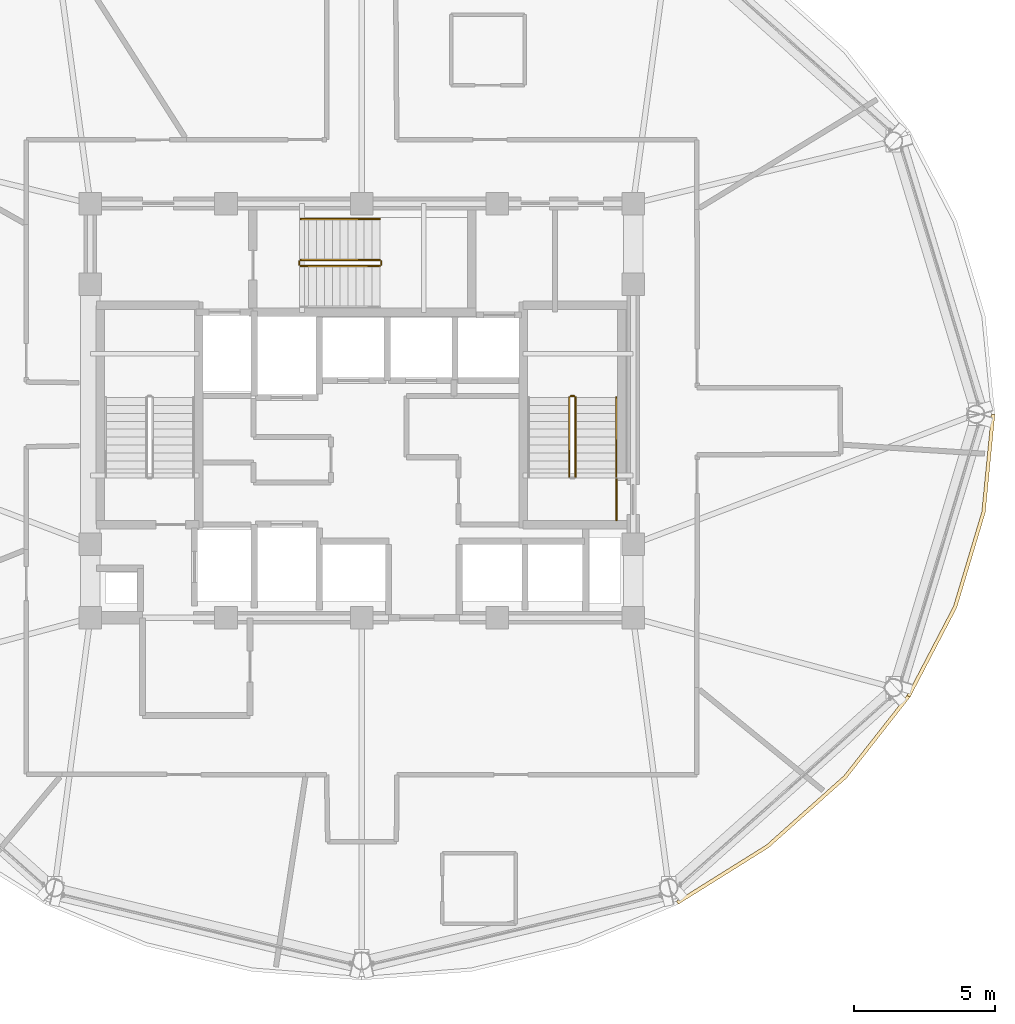
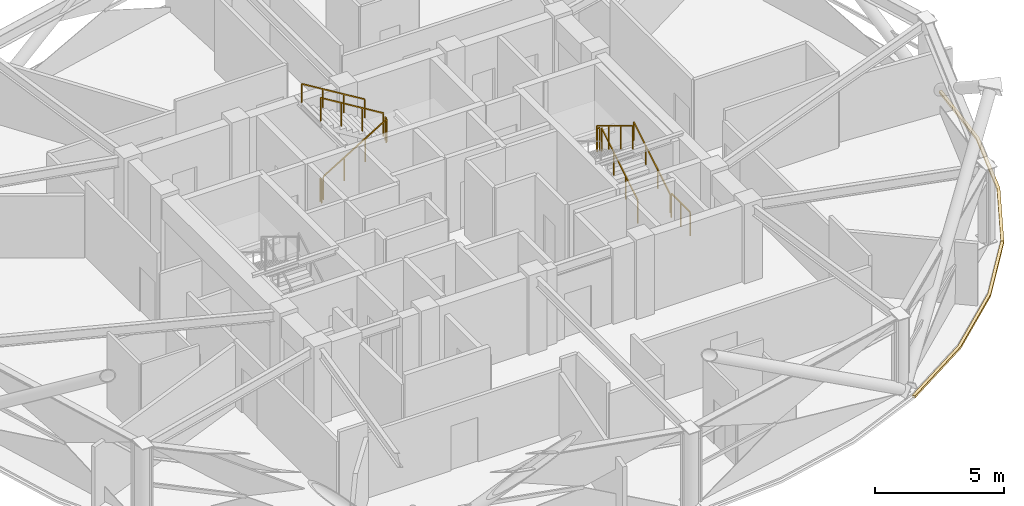
# One storey, part 27 of 28: 10 railings, 2 coverings.
"""IFC4 building model written with IfcOpenShell, lengths in metres."""

from ifc_helpers import new_model, si_unit, direction, frame, origin, origin_2d, place, context, subcontext, project, spatial, polyline, rectangle, outline, extrude, material, layer, layer_set, type_object, element, save


model = new_model("IFC4")

# Units and contexts
model_context = context("Model", 3, precision=1e-05, world=origin(), true_north=direction((0.0, 1.0)))
body_context = subcontext(model_context, "Body", "Model", "MODEL_VIEW")
ifc_project = project(units=[si_unit("LENGTHUNIT", "METRE"), si_unit("AREAUNIT", "SQUARE_METRE"), si_unit("VOLUMEUNIT", "CUBIC_METRE"), si_unit("PLANEANGLEUNIT", "RADIAN"), si_unit("MASSUNIT", "GRAM", prefix="KILO")], contexts=[model_context])

# Site, building, storey
site_placement = place(None, origin())
site = spatial("IfcSite", under=ifc_project, at=site_placement, CompositionType="ELEMENT")
building_placement = place(site_placement, origin())
building = spatial("IfcBuilding", under=site, at=building_placement, Name="Vantalir Tower", CompositionType="ELEMENT")
storey_placement = place(building_placement, frame((0.0, 0.0, 242.39990234375)))
storey = spatial("IfcBuildingStorey", under=building, at=storey_placement, Name="L61", CompositionType="ELEMENT", Elevation=242.39990234375)

# Coverings
ifc_material_1 = material(Name="Anodised champagne aluminium sill fascia", Category="aluminium")
ifc_layer = layer(ifc_material_1, 0.125)
ifc_layer_set = layer_set([ifc_layer], Name="Anodised champagne aluminium sill fascia")
covering_type = type_object("IfcCoveringType", Name="COV-SLAB-FASCIA-125", PredefinedType="CLADDING", material=ifc_layer_set)
covering_1_placement = place(storey_placement, frame((0.0, 0.0, -0.179931640625)))
element("IfcCovering", 1, at=covering_1_placement, inside=storey, type_object=covering_type, Name="L61 Perimeter Slab-Edge Sill Fascia 11", PredefinedType="CLADDING", context=body_context, shape_type="SweptSolid", body=[
    extrude(outline(polyline([(42.697021484375, 7.673095703125), (45.89404296875, 9.673095703125), (48.654052734375, 12.138916015625), (50.89306640625, 14.99609375), (50.784912109375, 15.05810546875), (48.55810546875, 12.218994140625), (45.81396484375, 9.76904296875), (42.634033203125, 7.781005859375), (42.697021484375, 7.673095703125)])), origin(), (0.0, 0.0, 1.0), 0.10498046875),
])
covering_2_placement = place(storey_placement, frame((0.0, 0.0, -0.179931640625)))
element("IfcCovering", 2, at=covering_2_placement, inside=storey, type_object=covering_type, Name="L61 Perimeter Slab-Edge Sill Fascia 12", PredefinedType="CLADDING", context=body_context, shape_type="SweptSolid", body=[
    extrude(outline(polyline([(50.89306640625, 14.99609375), (52.54296875, 18.156982421875), (53.552978515625, 21.52587890625), (53.89306640625, 25.0), (53.76806640625, 25.0), (53.429931640625, 21.547119140625), (52.425048828125, 18.199951171875), (50.784912109375, 15.05810546875), (50.89306640625, 14.99609375)])), origin(), (0.0, 0.0, 1.0), 0.10498046875),
])

# Railings
ifc_material_2 = material(Name="Anodised aluminium and stainless steel guard", Category="steel")
railing_type_1 = type_object("IfcRailingType", Name="RAL-GUARD-1120", PredefinedType="GUARDRAIL", material=ifc_material_2)
railing_1_placement = place(storey_placement, frame((39.06005859375, 22.7900390625, 0.170654296875)))
element("IfcRailing", 3, at=railing_1_placement, inside=storey, type_object=railing_type_1, Name="L61 ST2 stair guard 1", PredefinedType="GUARDRAIL", context=body_context, shape_type="SweptSolid", body=[
    extrude(rectangle(XDim=0.048095703125, YDim=0.048095703125, at=origin_2d()), frame((0.0, 0.0, 1.09619140625), z_axis=(0.0, 0.854202870247, 0.519939858505), x_axis=(-1.0, 0.0, 0.0)), (0.0, 0.0, 1.0), 3.278076171875),
    extrude(rectangle(XDim=0.0419921875, YDim=0.0419921875, at=origin_2d()), origin(), (0.0, 0.0, 1.0), 1.072021484375),
    extrude(rectangle(XDim=0.0419921875, YDim=0.0419921875, at=origin_2d()), frame((0.0, 0.933349609375, 0.568115234375)), (0.0, 0.0, 1.0), 1.072021484375),
    extrude(rectangle(XDim=0.0419921875, YDim=0.0419921875, at=origin_2d()), frame((0.0, 1.86669921875, 1.13623046875)), (0.0, 0.0, 1.0), 1.072021484375),
    extrude(rectangle(XDim=0.0419921875, YDim=0.0419921875, at=origin_2d()), frame((0.0, 2.800048828125, 1.704345703125)), (0.0, 0.0, 1.0), 1.072021484375),
])
railing_2_placement = place(storey_placement, frame((39.010009765625, 25.639892578125, 1.875)))
element("IfcRailing", 4, at=railing_2_placement, inside=storey, type_object=railing_type_1, Name="L61 ST2 stair guard 2", PredefinedType="GUARDRAIL", context=body_context, shape_type="SweptSolid", body=[
    extrude(rectangle(XDim=0.048095703125, YDim=0.048095703125, at=origin_2d()), frame((0.0, 0.0, 1.09619140625), z_axis=(-1.0, 0.0, 0.0), x_axis=(0.0, -1.0, 0.0)), (0.0, 0.0, 1.0), 0.1201171875),
    extrude(rectangle(XDim=0.0419921875, YDim=0.0419921875, at=origin_2d()), origin(), (0.0, 0.0, 1.0), 1.072021484375),
    extrude(rectangle(XDim=0.0419921875, YDim=0.0419921875, at=origin_2d()), frame((-0.1201171875, 0.0, 0.0)), (0.0, 0.0, 1.0), 1.072021484375),
])
railing_3_placement = place(storey_placement, frame((38.840087890625, 25.590087890625, 2.045654296875)))
element("IfcRailing", 5, at=railing_3_placement, inside=storey, type_object=railing_type_1, Name="L61 ST2 stair guard 3", PredefinedType="GUARDRAIL", context=body_context, shape_type="SweptSolid", body=[
    extrude(rectangle(XDim=0.048095703125, YDim=0.048095703125, at=origin_2d()), frame((0.0, 0.0, 1.09619140625), z_axis=(0.0, -0.854202870247, 0.519939858505), x_axis=(1.0, 0.0, 0.0)), (0.0, 0.0, 1.0), 3.278076171875),
    extrude(rectangle(XDim=0.0419921875, YDim=0.0419921875, at=origin_2d()), origin(), (0.0, 0.0, 1.0), 1.072021484375),
    extrude(rectangle(XDim=0.0419921875, YDim=0.0419921875, at=origin_2d()), frame((0.0, -0.933349609375, 0.568115234375)), (0.0, 0.0, 1.0), 1.072021484375),
    extrude(rectangle(XDim=0.0419921875, YDim=0.0419921875, at=origin_2d()), frame((0.0, -1.86669921875, 1.13623046875)), (0.0, 0.0, 1.0), 1.072021484375),
    extrude(rectangle(XDim=0.0419921875, YDim=0.0419921875, at=origin_2d()), frame((0.0, -2.800048828125, 1.704345703125)), (0.0, 0.0, 1.0), 1.072021484375),
])
railing_4_placement = place(storey_placement, frame((29.340087890625, 30.239990234375, 0.170654296875)))
element("IfcRailing", 6, at=railing_4_placement, inside=storey, type_object=railing_type_1, Name="L61 ST3 stair guard 1", PredefinedType="GUARDRAIL", context=body_context, shape_type="SweptSolid", body=[
    extrude(rectangle(XDim=0.048095703125, YDim=0.048095703125, at=origin_2d()), frame((0.0, 0.0, 1.09619140625), z_axis=(0.854182733786, 0.0, 0.519972939009), x_axis=(0.0, 1.0, 0.0)), (0.0, 0.0, 1.0), 3.27783203125),
    extrude(rectangle(XDim=0.0419921875, YDim=0.0419921875, at=origin_2d()), origin(), (0.0, 0.0, 1.0), 1.072021484375),
    extrude(rectangle(XDim=0.0419921875, YDim=0.0419921875, at=origin_2d()), frame((0.933349609375, 0.0, 0.568115234375)), (0.0, 0.0, 1.0), 1.072021484375),
    extrude(rectangle(XDim=0.0419921875, YDim=0.0419921875, at=origin_2d()), frame((1.866455078125, 0.0, 1.13623046875)), (0.0, 0.0, 1.0), 1.072021484375),
    extrude(rectangle(XDim=0.0419921875, YDim=0.0419921875, at=origin_2d()), frame((2.7998046875, 0.0, 1.704345703125)), (0.0, 0.0, 1.0), 1.072021484375),
])
railing_5_placement = place(storey_placement, frame((32.18994140625, 30.2900390625, 1.875)))
element("IfcRailing", 7, at=railing_5_placement, inside=storey, type_object=railing_type_1, Name="L61 ST3 stair guard 2", PredefinedType="GUARDRAIL", context=body_context, shape_type="SweptSolid", body=[
    extrude(rectangle(XDim=0.048095703125, YDim=0.048095703125, at=origin_2d()), frame((0.0, 0.0, 1.09619140625), z_axis=(0.0, 1.0, 0.0), x_axis=(-1.0, 0.0, 0.0)), (0.0, 0.0, 1.0), 0.119873046875),
    extrude(rectangle(XDim=0.0419921875, YDim=0.0419921875, at=origin_2d()), origin(), (0.0, 0.0, 1.0), 1.072021484375),
    extrude(rectangle(XDim=0.0419921875, YDim=0.0419921875, at=origin_2d()), frame((0.0, 0.119873046875, 0.0)), (0.0, 0.0, 1.0), 1.072021484375),
])
railing_6_placement = place(storey_placement, frame((32.139892578125, 30.4599609375, 2.045654296875)))
element("IfcRailing", 8, at=railing_6_placement, inside=storey, type_object=railing_type_1, Name="L61 ST3 stair guard 3", PredefinedType="GUARDRAIL", context=body_context, shape_type="SweptSolid", body=[
    extrude(rectangle(XDim=0.048095703125, YDim=0.048095703125, at=origin_2d()), frame((0.0, 0.0, 1.09619140625), z_axis=(-0.854182733786, 0.0, 0.519972939009), x_axis=(0.0, -1.0, 0.0)), (0.0, 0.0, 1.0), 3.27783203125),
    extrude(rectangle(XDim=0.0419921875, YDim=0.0419921875, at=origin_2d()), origin(), (0.0, 0.0, 1.0), 1.072021484375),
    extrude(rectangle(XDim=0.0419921875, YDim=0.0419921875, at=origin_2d()), frame((-0.933349609375, 0.0, 0.568115234375)), (0.0, 0.0, 1.0), 1.072021484375),
    extrude(rectangle(XDim=0.0419921875, YDim=0.0419921875, at=origin_2d()), frame((-1.866455078125, 0.0, 1.13623046875)), (0.0, 0.0, 1.0), 1.072021484375),
    extrude(rectangle(XDim=0.0419921875, YDim=0.0419921875, at=origin_2d()), frame((-2.7998046875, 0.0, 1.704345703125)), (0.0, 0.0, 1.0), 1.072021484375),
])
railing_7_placement = place(storey_placement, frame((29.2900390625, 30.2900390625, 0.0)))
element("IfcRailing", 9, at=railing_7_placement, inside=storey, type_object=railing_type_1, Name="L61 ST3 stair guard 4", PredefinedType="GUARDRAIL", context=body_context, shape_type="SweptSolid", body=[
    extrude(rectangle(XDim=0.048095703125, YDim=0.048095703125, at=origin_2d()), frame((0.0, 0.0, 1.09619140625), z_axis=(0.0, 1.0, 0.0), x_axis=(-1.0, 0.0, 0.0)), (0.0, 0.0, 1.0), 0.119873046875),
    extrude(rectangle(XDim=0.0419921875, YDim=0.0419921875, at=origin_2d()), origin(), (0.0, 0.0, 1.0), 1.072021484375),
    extrude(rectangle(XDim=0.0419921875, YDim=0.0419921875, at=origin_2d()), frame((0.0, 0.119873046875, 0.0)), (0.0, 0.0, 1.0), 1.072021484375),
])
railing_8_placement = place(storey_placement, frame((40.510009765625, 21.260009765625, 0.0)))
element("IfcRailing", 10, at=railing_8_placement, inside=storey, type_object=railing_type_1, Name="L61 Stair ST2 Doorway Landing Guard", PredefinedType="GUARDRAIL", context=body_context, shape_type="SweptSolid", body=[
    extrude(rectangle(XDim=0.048095703125, YDim=0.048095703125, at=origin_2d()), frame((0.0, 0.0, 1.1259765625), z_axis=(0.0, 1.0, 0.0), x_axis=(-1.0, 0.0, 0.0)), (0.0, 0.0, 1.0), 1.43994140625),
    extrude(rectangle(XDim=0.0419921875, YDim=0.0419921875, at=origin_2d()), origin(), (0.0, 0.0, 1.0), 1.101806640625),
    extrude(rectangle(XDim=0.0419921875, YDim=0.0419921875, at=origin_2d()), frame((0.0, 0.719970703125, 0.0)), (0.0, 0.0, 1.0), 1.101806640625),
    extrude(rectangle(XDim=0.0419921875, YDim=0.0419921875, at=origin_2d()), frame((0.0, 1.43994140625, 0.0)), (0.0, 0.0, 1.0), 1.101806640625),
])
ifc_material_3 = material(Name="Brushed stainless steel tubular handrail", Category="steel")
railing_type_2 = type_object("IfcRailingType", Name="RAL-HANDRAIL-900", PredefinedType="HANDRAIL", material=ifc_material_3)
railing_9_placement = place(storey_placement, frame((40.5, 22.7900390625, 0.170654296875)))
element("IfcRailing", 11, at=railing_9_placement, inside=storey, type_object=railing_type_2, Name="L61 ST2 stair handrail 1", PredefinedType="HANDRAIL", context=body_context, shape_type="SweptSolid", body=[
    extrude(rectangle(XDim=0.048095703125, YDim=0.048095703125, at=origin_2d()), frame((0.0, 0.0, 0.8759765625), z_axis=(0.0, 0.854202870247, 0.519939858505), x_axis=(-1.0, 0.0, 0.0)), (0.0, 0.0, 1.0), 3.278076171875),
    extrude(rectangle(XDim=0.0419921875, YDim=0.0419921875, at=origin_2d()), origin(), (0.0, 0.0, 1.0), 0.851806640625),
    extrude(rectangle(XDim=0.0419921875, YDim=0.0419921875, at=origin_2d()), frame((0.0, 0.933349609375, 0.568115234375)), (0.0, 0.0, 1.0), 0.851806640625),
    extrude(rectangle(XDim=0.0419921875, YDim=0.0419921875, at=origin_2d()), frame((0.0, 1.86669921875, 1.13623046875)), (0.0, 0.0, 1.0), 0.851806640625),
    extrude(rectangle(XDim=0.0419921875, YDim=0.0419921875, at=origin_2d()), frame((0.0, 2.800048828125, 1.704345703125)), (0.0, 0.0, 1.0), 0.851806640625),
])
railing_10_placement = place(storey_placement, frame((32.139892578125, 31.89990234375, 2.045654296875)))
element("IfcRailing", 12, at=railing_10_placement, inside=storey, type_object=railing_type_2, Name="L61 ST3 stair handrail 2", PredefinedType="HANDRAIL", context=body_context, shape_type="SweptSolid", body=[
    extrude(rectangle(XDim=0.048095703125, YDim=0.048095703125, at=origin_2d()), frame((0.0, 0.0, 0.8759765625), z_axis=(-0.854182733786, 0.0, 0.519972939009), x_axis=(0.0, -1.0, 0.0)), (0.0, 0.0, 1.0), 3.27783203125),
    extrude(rectangle(XDim=0.0419921875, YDim=0.0419921875, at=origin_2d()), origin(), (0.0, 0.0, 1.0), 0.851806640625),
    extrude(rectangle(XDim=0.0419921875, YDim=0.0419921875, at=origin_2d()), frame((-0.933349609375, 0.0, 0.568115234375)), (0.0, 0.0, 1.0), 0.851806640625),
    extrude(rectangle(XDim=0.0419921875, YDim=0.0419921875, at=origin_2d()), frame((-1.866455078125, 0.0, 1.13623046875)), (0.0, 0.0, 1.0), 0.851806640625),
    extrude(rectangle(XDim=0.0419921875, YDim=0.0419921875, at=origin_2d()), frame((-2.7998046875, 0.0, 1.704345703125)), (0.0, 0.0, 1.0), 0.851806640625),
])

save(model, "model.ifc")
